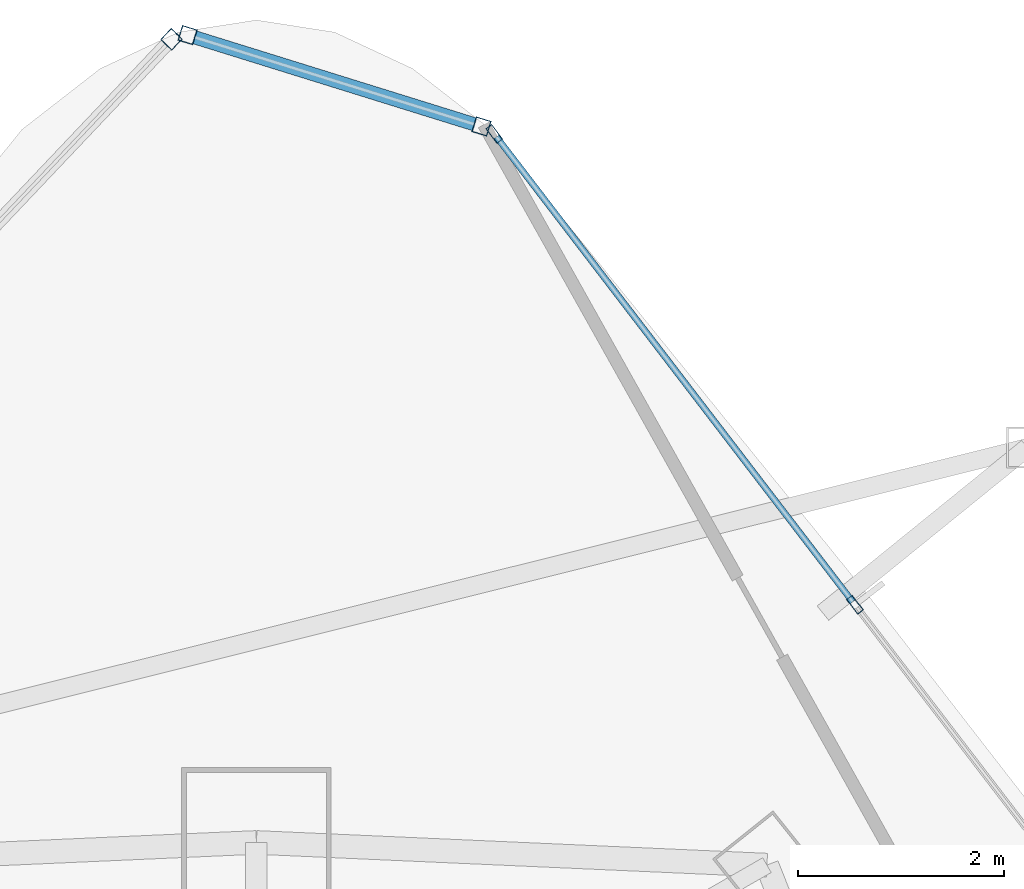
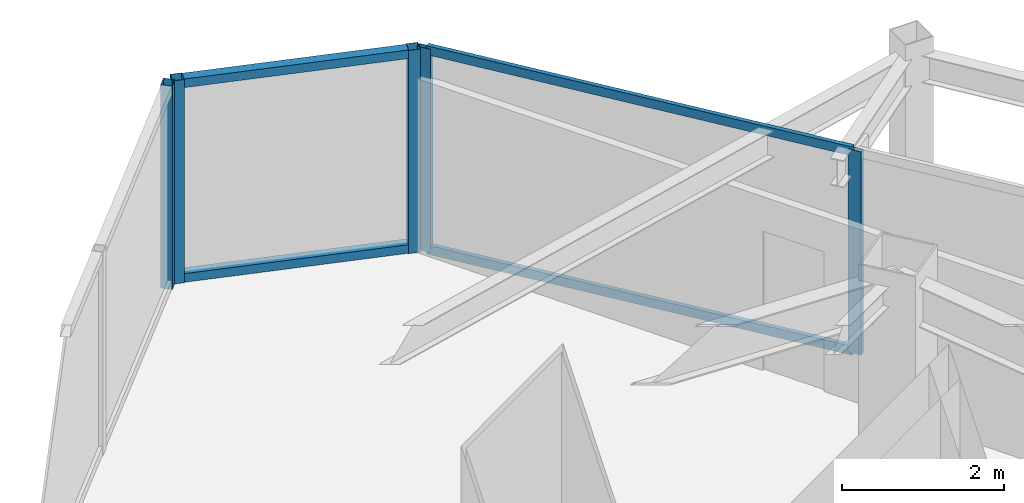
# One storey, part 24 of 33: 9 members, 3 elements without a shape of their own.
"""IFC4 building model written with IfcOpenShell, lengths in metres."""

from ifc_helpers import new_model, si_unit, direction, frame, origin, origin_2d, place, context, subcontext, project, spatial, hollow_rectangle, extrude, material, layer, layer_set, material_profile, profile_set, type_object, element, aggregate, save


model = new_model("IFC4")

# Units and contexts
model_context = context("Model", 3, precision=1e-05, world=origin(), true_north=direction((0.0, 1.0)))
body_context = subcontext(model_context, "Body", "Model", "MODEL_VIEW")
ifc_project = project(units=[si_unit("LENGTHUNIT", "METRE"), si_unit("AREAUNIT", "SQUARE_METRE"), si_unit("VOLUMEUNIT", "CUBIC_METRE"), si_unit("PLANEANGLEUNIT", "RADIAN"), si_unit("MASSUNIT", "GRAM", prefix="KILO")], contexts=[model_context])

# Site, building, storey
site_placement = place(None, origin())
site = spatial("IfcSite", under=ifc_project, at=site_placement, CompositionType="ELEMENT")
building_placement = place(site_placement, origin())
building = spatial("IfcBuilding", under=site, at=building_placement, Name="Orvanel Arch Residences", CompositionType="ELEMENT")
storey_placement = place(building_placement, frame((0.0, 0.0, 119.89990234375)))
storey = spatial("IfcBuildingStorey", under=building, at=storey_placement, Name="L33", CompositionType="ELEMENT", Elevation=119.89990234375)

# Curtain wall, members
ifc_material = material(Name="Bronze-anodised aluminium AA6063-T6", Category="aluminium")
ifc_layer_1 = layer(ifc_material, 0.18994140625)
ifc_layer_set_1 = layer_set([ifc_layer_1], Name="Bronze-anodised aluminium AA6063-T6")
curtain_wall_type_1 = type_object("IfcCurtainWallType", Name="CW5-CRN-SYS", PredefinedType="NOTDEFINED", material=ifc_layer_set_1)
curtain_wall_1_placement = place(storey_placement, origin())
curtain_wall_1 = element("IfcCurtainWall", 1, at=curtain_wall_1_placement, inside=storey, type_object=curtain_wall_type_1, Name="L33 CW5-CRN-SYS Unitised Curtain Wall", PredefinedType="NOTDEFINED")
ifc_material_profile_1 = material_profile(ifc_material, hollow_rectangle(XDim=0.14990234375, YDim=0.14990234375, WallThickness=0.0048828125, at=origin_2d()), Name="ALU150x150x5")
ifc_profile_set_1 = profile_set([ifc_material_profile_1], Name="Bronze-anodised aluminium AA6063-T6")
member_type_1 = type_object("IfcMemberType", Name="MUL-150x150", PredefinedType="MULLION", material=ifc_profile_set_1)
member_1_placement = place(storey_placement, frame((35.182373046875, 48.33935546875, 0.0), z_axis=(0.0, 0.0, 1.0), x_axis=(-0.297021304243, -0.954870852433, 0.0)))
member_1 = element("IfcMember", 2, at=member_1_placement, type_object=member_type_1, Name="CW-S5 mullion 1", PredefinedType="MULLION", context=body_context, shape_type="SweptSolid", body=[
    extrude(hollow_rectangle(XDim=0.14990234375, YDim=0.14990234375, WallThickness=0.0048828125, at=origin_2d()), origin(), (0.0, 0.0, 1.0), 3.06005859375),
])
member_2_placement = place(storey_placement, frame((32.33251953125, 49.225830078125, 0.0), z_axis=(0.0, 0.0, 1.0), x_axis=(-0.297021304243, -0.954870852433, 0.0)))
member_2 = element("IfcMember", 3, at=member_2_placement, type_object=member_type_1, Name="CW-S5 mullion 2", PredefinedType="MULLION", context=body_context, shape_type="SweptSolid", body=[
    extrude(hollow_rectangle(XDim=0.14990234375, YDim=0.14990234375, WallThickness=0.0048828125, at=origin_2d()), origin(), (0.0, 0.0, 1.0), 3.06005859375),
])

# Curtain wall, member
curtain_wall_2_placement = place(storey_placement, origin())
curtain_wall_2 = element("IfcCurtainWall", 4, at=curtain_wall_2_placement, inside=storey, type_object=curtain_wall_type_1, Name="L33 CW5-CRN-SYS Unitised Curtain Wall", PredefinedType="NOTDEFINED")
member_3_placement = place(storey_placement, frame((32.176513671875, 49.1845703125, 0.0), z_axis=(0.0, 0.0, 1.0), x_axis=(0.725885986866, -0.687815043505, 0.0)))
member_3 = element("IfcMember", 5, at=member_3_placement, type_object=member_type_1, Name="CW-S5 mullion 1", PredefinedType="MULLION", context=body_context, shape_type="SweptSolid", body=[
    extrude(hollow_rectangle(XDim=0.14990234375, YDim=0.14990234375, WallThickness=0.0048828125, at=origin_2d()), origin(), (0.0, 0.0, 1.0), 3.06005859375),
])
aggregate(curtain_wall_2, [member_3])

# Curtain wall, members
ifc_layer_2 = layer(ifc_material, 0.179931640625)
ifc_layer_set_2 = layer_set([ifc_layer_2], Name="Bronze-anodised aluminium AA6063-T6")
curtain_wall_type_2 = type_object("IfcCurtainWallType", Name="CW3-MID-SYS", PredefinedType="NOTDEFINED", material=ifc_layer_set_2)
curtain_wall_3_placement = place(storey_placement, origin())
curtain_wall_3 = element("IfcCurtainWall", 6, at=curtain_wall_3_placement, inside=storey, type_object=curtain_wall_type_2, Name="L33 CW3-MID-SYS Unitised Curtain Wall", PredefinedType="NOTDEFINED")
ifc_material_profile_2 = material_profile(ifc_material, hollow_rectangle(XDim=0.070068359375, YDim=0.179931640625, WallThickness=0.00439453125, at=origin_2d()), Name="ALU180x70x4.5")
ifc_profile_set_2 = profile_set([ifc_material_profile_2], Name="Bronze-anodised aluminium AA6063-T6")
member_type_2 = type_object("IfcMemberType", Name="MUL-180x70", PredefinedType="MULLION", material=ifc_profile_set_2)
member_4_placement = place(storey_placement, frame((38.802734375, 43.70263671875, 0.0), z_axis=(0.0, 0.0, 1.0), x_axis=(-0.793866900823, -0.608091558713, 0.0)))
member_4 = element("IfcMember", 7, at=member_4_placement, type_object=member_type_2, Name="CW-S3 mullion 3", PredefinedType="MULLION", context=body_context, shape_type="SweptSolid", body=[
    extrude(hollow_rectangle(XDim=0.070068359375, YDim=0.179931640625, WallThickness=0.00439453125, at=origin_2d()), origin(), (0.0, 0.0, 1.0), 3.06005859375),
])
member_5_placement = place(storey_placement, frame((35.306396484375, 48.267333984375, 0.0), z_axis=(0.0, 0.0, 1.0), x_axis=(-0.793866900823, -0.608091558713, 0.0)))
member_5 = element("IfcMember", 8, at=member_5_placement, type_object=member_type_2, Name="CW-S3 mullion 4", PredefinedType="MULLION", context=body_context, shape_type="SweptSolid", body=[
    extrude(hollow_rectangle(XDim=0.070068359375, YDim=0.179931640625, WallThickness=0.00439453125, at=origin_2d()), origin(), (0.0, 0.0, 1.0), 3.06005859375),
])

# Member
ifc_material_profile_3 = material_profile(ifc_material, hollow_rectangle(XDim=0.1298828125, YDim=0.1298828125, WallThickness=0.00439453125, at=origin_2d()), Name="ALU130x130x4.5")
ifc_profile_set_3 = profile_set([ifc_material_profile_3], Name="Bronze-anodised aluminium AA6063-T6")
member_type_3 = type_object("IfcMemberType", Name="TRN-130x130", PredefinedType="USERDEFINED", material=ifc_profile_set_3)
member_6_placement = place(storey_placement, frame((35.11083984375, 48.361572265625, 0.065185546875), z_axis=(-0.954880662706, 0.296989764118, 0.0), x_axis=(-0.296989764118, -0.954880662706, 0.0)))
member_6 = element("IfcMember", 9, at=member_6_placement, type_object=member_type_3, Name="CW-S5 transom 1.1", ObjectType="TRANSOM", PredefinedType="USERDEFINED", context=body_context, shape_type="SweptSolid", body=[
    extrude(hollow_rectangle(XDim=0.1298828125, YDim=0.1298828125, WallThickness=0.00439453125, at=origin_2d()), origin(), (0.0, 0.0, 1.0), 2.83447265625),
])

member_7_placement = place(storey_placement, frame((35.11083984375, 48.361572265625, 2.9951171875), z_axis=(-0.954880662706, 0.296989764118, 0.0), x_axis=(-0.296989764118, -0.954880662706, 0.0)))
member_7 = element("IfcMember", 10, at=member_7_placement, type_object=member_type_3, Name="CW-S5 transom 1.2", ObjectType="TRANSOM", PredefinedType="USERDEFINED", context=body_context, shape_type="SweptSolid", body=[
    extrude(hollow_rectangle(XDim=0.1298828125, YDim=0.1298828125, WallThickness=0.00439453125, at=origin_2d()), origin(), (0.0, 0.0, 1.0), 2.83447265625),
])

aggregate(curtain_wall_1, [member_1, member_2, member_6, member_7])

ifc_material_profile_4 = material_profile(ifc_material, hollow_rectangle(XDim=0.06005859375, YDim=0.135009765625, WallThickness=0.00390625, at=origin_2d()), Name="ALU135x60x4")
ifc_profile_set_4 = profile_set([ifc_material_profile_4], Name="Bronze-anodised aluminium AA6063-T6")
member_type_4 = type_object("IfcMemberType", Name="TRN-135x60", PredefinedType="USERDEFINED", material=ifc_profile_set_4)
member_8_placement = place(storey_placement, frame((38.781494140625, 43.73046875, 0.030029296875), z_axis=(-0.608091287366, 0.793867108671, 0.0), x_axis=(-0.793867108671, -0.608091287366, 0.0)))
member_8 = element("IfcMember", 11, at=member_8_placement, type_object=member_type_4, Name="CW-S3 transom 3.1", ObjectType="TRANSOM", PredefinedType="USERDEFINED", context=body_context, shape_type="SweptSolid", body=[
    extrude(hollow_rectangle(XDim=0.06005859375, YDim=0.135009765625, WallThickness=0.00390625, at=origin_2d()), origin(), (0.0, 0.0, 1.0), 5.679931640625),
])

member_9_placement = place(storey_placement, frame((38.781494140625, 43.73046875, 3.030029296875), z_axis=(-0.608091287366, 0.793867108671, 0.0), x_axis=(-0.793867108671, -0.608091287366, 0.0)))
member_9 = element("IfcMember", 12, at=member_9_placement, type_object=member_type_4, Name="CW-S3 transom 3.2", ObjectType="TRANSOM", PredefinedType="USERDEFINED", context=body_context, shape_type="SweptSolid", body=[
    extrude(hollow_rectangle(XDim=0.06005859375, YDim=0.135009765625, WallThickness=0.00390625, at=origin_2d()), origin(), (0.0, 0.0, 1.0), 5.679931640625),
])

aggregate(curtain_wall_3, [member_4, member_5, member_8, member_9])

save(model, "model.ifc")
